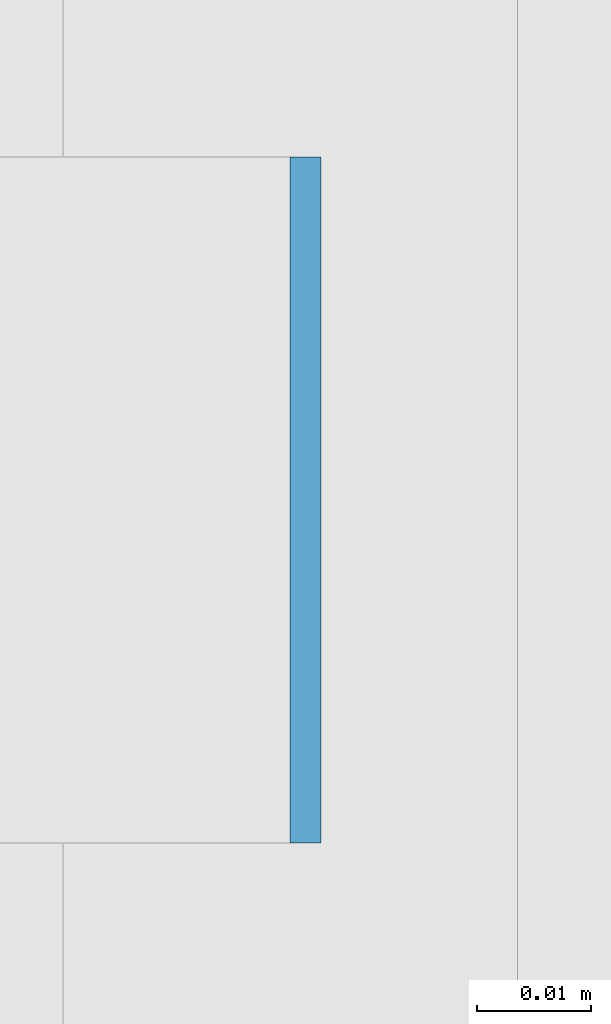
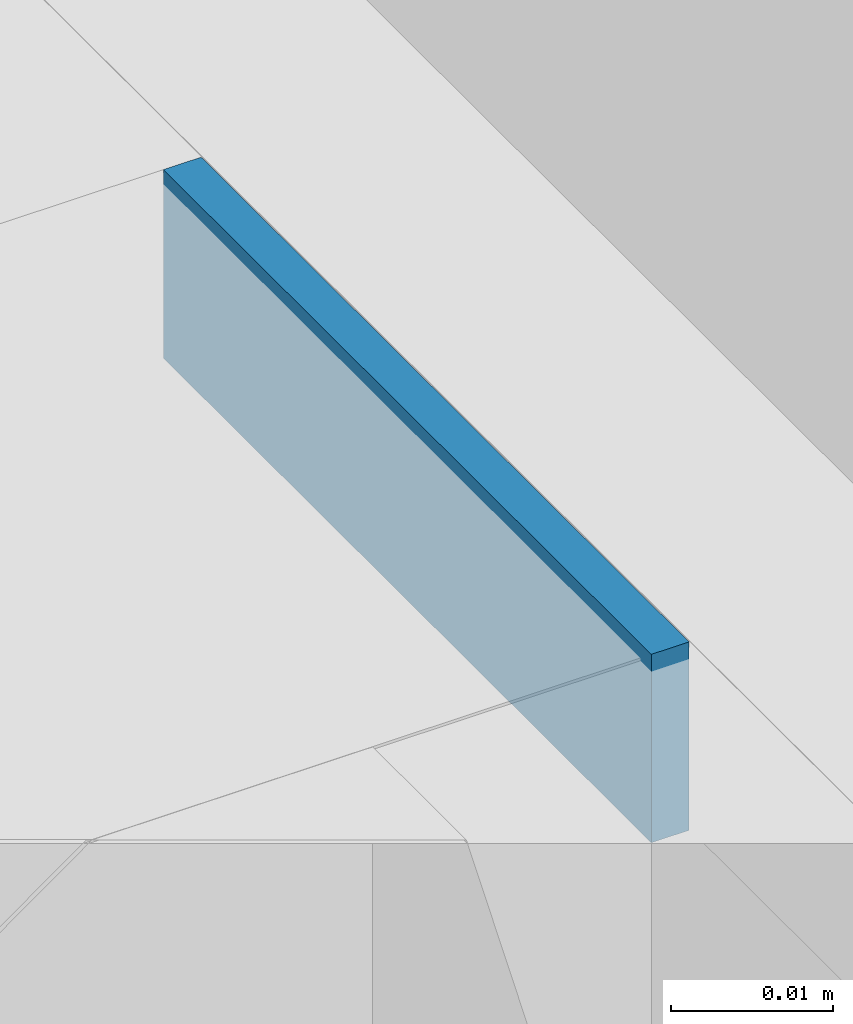
# One storey, part 265 of 646: 1 discrete accessory.
"""IFC4 building model written with IfcOpenShell, lengths in metres."""

from ifc_helpers import new_model, si_unit, direction, frame, origin, origin_2d, place, context, subcontext, project, spatial, rectangle, extrude, material, type_object, element, save


model = new_model("IFC4")

# Units and contexts
model_context = context("Model", 3, precision=1e-05, world=origin(), true_north=direction((0.0, 1.0)))
body_context = subcontext(model_context, "Body", "Model", "MODEL_VIEW")
ifc_project = project(units=[si_unit("LENGTHUNIT", "METRE"), si_unit("AREAUNIT", "SQUARE_METRE"), si_unit("VOLUMEUNIT", "CUBIC_METRE"), si_unit("PLANEANGLEUNIT", "RADIAN"), si_unit("MASSUNIT", "GRAM", prefix="KILO")], contexts=[model_context])

# Site, building, storey
site_placement = place(None, origin())
site = spatial("IfcSite", under=ifc_project, at=site_placement, CompositionType="ELEMENT")
building_placement = place(site_placement, origin())
building = spatial("IfcBuilding", under=site, at=building_placement, Name="Silverbay Arena", CompositionType="ELEMENT")
storey_placement = place(building_placement, frame((0.0, 0.0, 33.5)))
storey = spatial("IfcBuildingStorey", under=building, at=storey_placement, Name="L05", CompositionType="ELEMENT", Elevation=33.5)

# Discrete accessory
ifc_material = material(Name="Steel S355", Category="steel")
discrete_accessory_type = type_object("IfcDiscreteAccessoryType", Name="Steel bracket plate", PredefinedType="BRACKET", material=ifc_material)
discrete_accessory_placement = place(storey_placement, frame((53.871337890625, 43.71435546875, 12.98583984375), z_axis=(0.0, 0.0, 1.0), x_axis=(1.0, 0.0, 0.0)))
element("IfcDiscreteAccessory", 1, at=discrete_accessory_placement, inside=storey, type_object=discrete_accessory_type, Name="Curtain wall packing plate", PredefinedType="BRACKET", context=body_context, shape_type="SweptSolid", body=[
    extrude(rectangle(XDim=0.002685546875, YDim=0.06005859375, at=origin_2d()), origin(), (0.0, 0.0, 1.0), 0.01416015625),
])

save(model, "model.ifc")
